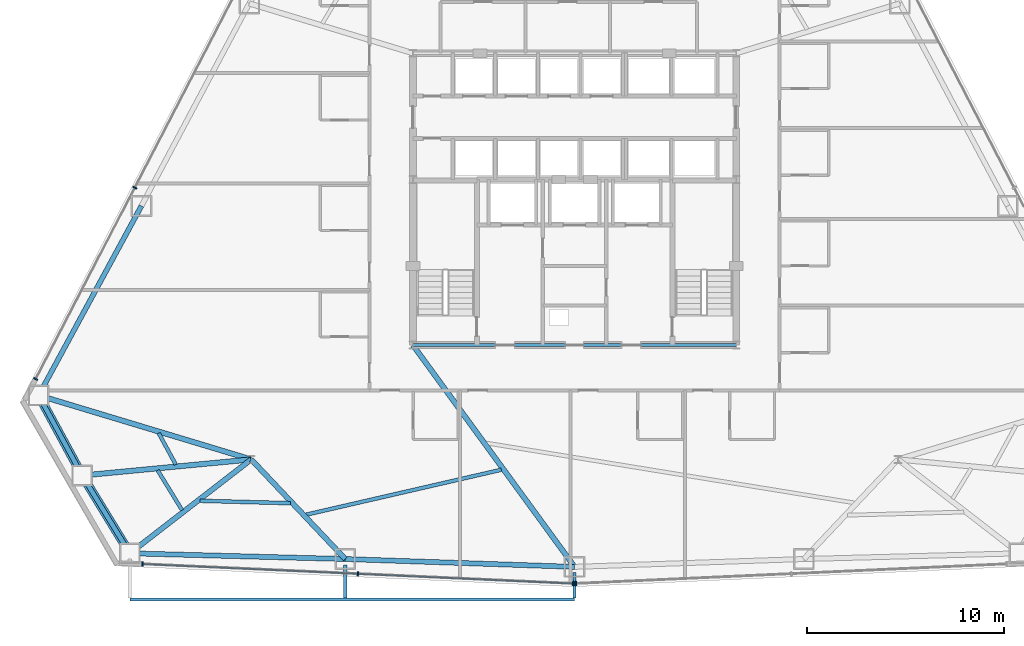
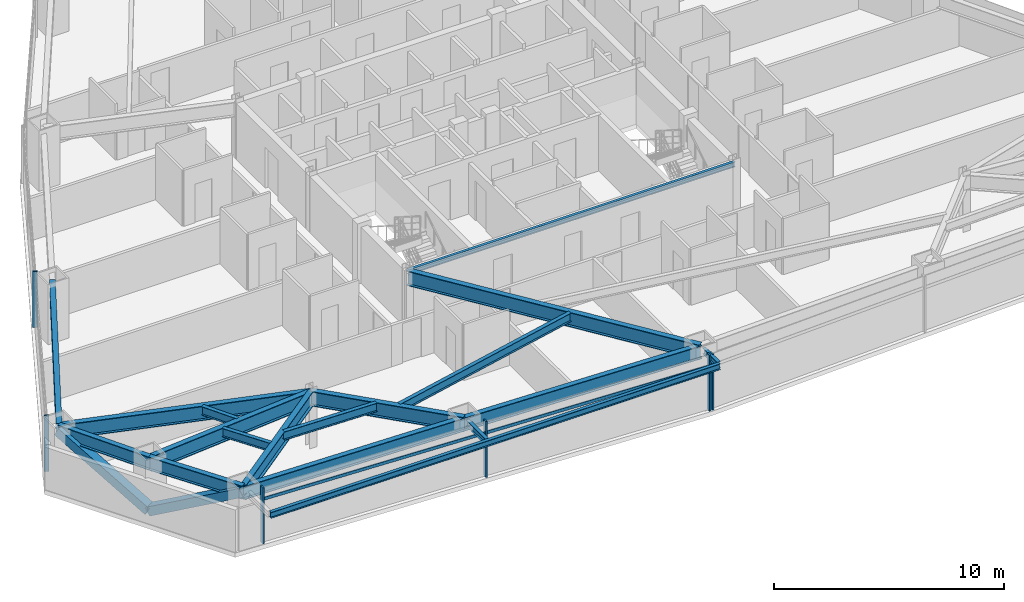
# One storey, part 4 of 13: 18 beams, 9 members, 3 elements without a shape of their own.
"""IFC4 building model written with IfcOpenShell, lengths in metres."""

from ifc_helpers import new_model, si_unit, direction, frame, origin, origin_2d, place, context, subcontext, project, spatial, rectangle, hollow_rectangle, i_section, extrude, source, transform, mapped, material, layer, layer_set, material_profile, profile_set, type_object, type_shapes, element, aggregate, save


model = new_model("IFC4")

# Units and contexts
model_context = context("Model", 3, precision=1e-05, world=origin(), true_north=direction((0.0, 1.0)))
body_context = subcontext(model_context, "Body", "Model", "MODEL_VIEW")
ifc_project = project(units=[si_unit("LENGTHUNIT", "METRE"), si_unit("AREAUNIT", "SQUARE_METRE"), si_unit("VOLUMEUNIT", "CUBIC_METRE"), si_unit("PLANEANGLEUNIT", "RADIAN"), si_unit("MASSUNIT", "GRAM", prefix="KILO")], contexts=[model_context])

# Site, building, storey
site_placement = place(None, origin())
site = spatial("IfcSite", under=ifc_project, at=site_placement, CompositionType="ELEMENT")
building_placement = place(site_placement, origin())
building = spatial("IfcBuilding", under=site, at=building_placement, Name="Varakhsha Concourse Tower", CompositionType="ELEMENT")
storey_placement = place(building_placement, frame((0.0, 0.0, 89.39990234375)))
storey = spatial("IfcBuildingStorey", under=building, at=storey_placement, Name="L25", CompositionType="ELEMENT", Elevation=89.39990234375)

# Beams
ifc_material_1 = material(Name="Structural Steel ASTM A992 Grade 50", Category="steel")
ifc_material_profile_1 = material_profile(ifc_material_1, i_section(OverallWidth=0.26611328125, OverallDepth=0.779052734375, WebThickness=0.01708984375, FlangeThickness=0.030029296875, at=origin_2d()), Name="W30X148")
ifc_profile_set_1 = profile_set([ifc_material_profile_1], Name="Structural Steel ASTM A992 Grade 50")
beam_type_1 = type_object("IfcBeamType", Name="BM-BASE-W30X148", PredefinedType="USERDEFINED", material=ifc_profile_set_1)
beam_1_placement = place(storey_placement, frame((23.60009765625, 10.60009765625, 2.58056640625), z_axis=(-0.957434410413, 0.288650913313, 0.0), x_axis=(-0.288650913313, -0.957434410413, 0.0)))
element("IfcBeam", 1, at=beam_1_placement, inside=storey, type_object=beam_type_1, Name="L25 Radial Floor Girder 07", ObjectType="GIRDER", PredefinedType="USERDEFINED", context=body_context, shape_type="SweptSolid", body=[
    extrude(i_section(OverallWidth=0.26611328125, OverallDepth=0.779052734375, WebThickness=0.01708984375, FlangeThickness=0.030029296875, at=origin_2d()), origin(), (0.0, 0.0, 1.0), 11.2568359375),
])
beam_2_placement = place(storey_placement, frame((23.60009765625, 10.60009765625, 2.58056640625), z_axis=(-0.995499423712, -0.094767596724, 0.0), x_axis=(0.094767596724, -0.995499423712, 0.0)))
element("IfcBeam", 2, at=beam_2_placement, inside=storey, type_object=beam_type_1, Name="L25 Radial Floor Girder 08", ObjectType="GIRDER", PredefinedType="USERDEFINED", context=body_context, shape_type="SweptSolid", body=[
    extrude(i_section(OverallWidth=0.26611328125, OverallDepth=0.779052734375, WebThickness=0.01708984375, FlangeThickness=0.030029296875, at=origin_2d()), origin(), (0.0, 0.0, 1.0), 8.607177734375),
])
beam_3_placement = place(storey_placement, frame((23.60009765625, 10.60009765625, 2.58056640625), z_axis=(-0.790863829476, -0.611992159449, 0.0), x_axis=(0.611992159449, -0.790863829476, 0.0)))
element("IfcBeam", 3, at=beam_3_placement, inside=storey, type_object=beam_type_1, Name="L25 Radial Floor Girder 09", ObjectType="GIRDER", PredefinedType="USERDEFINED", context=body_context, shape_type="SweptSolid", body=[
    extrude(i_section(OverallWidth=0.26611328125, OverallDepth=0.779052734375, WebThickness=0.01708984375, FlangeThickness=0.030029296875, at=origin_2d()), origin(), (0.0, 0.0, 1.0), 7.77978515625),
])
beam_4_placement = place(storey_placement, frame((23.60009765625, 10.60009765625, 2.58056640625), z_axis=(0.686667898497, -0.726971249207, 0.0), x_axis=(0.726971249207, 0.686667898497, 0.0)))
element("IfcBeam", 4, at=beam_4_placement, inside=storey, type_object=beam_type_1, Name="L25 Radial Floor Girder 10", ObjectType="GIRDER", PredefinedType="USERDEFINED", context=body_context, shape_type="SweptSolid", body=[
    extrude(i_section(OverallWidth=0.26611328125, OverallDepth=0.779052734375, WebThickness=0.01708984375, FlangeThickness=0.030029296875, at=origin_2d()), origin(), (0.0, 0.0, 1.0), 6.947998046875),
])
beam_5_placement = place(storey_placement, frame((31.800048828125, 16.39990234375, 2.58056640625), z_axis=(0.589090089307, -0.808067365187, 0.0), x_axis=(0.808067365187, 0.589090089307, 0.0)))
element("IfcBeam", 5, at=beam_5_placement, inside=storey, type_object=beam_type_1, Name="L25 Radial Floor Girder 11", ObjectType="GIRDER", PredefinedType="USERDEFINED", context=body_context, shape_type="SweptSolid", body=[
    extrude(i_section(OverallWidth=0.26611328125, OverallDepth=0.779052734375, WebThickness=0.01708984375, FlangeThickness=0.030029296875, at=origin_2d()), origin(), (0.0, 0.0, 1.0), 13.919677734375),
])
ifc_material_profile_2 = material_profile(ifc_material_1, i_section(OverallWidth=0.1669921875, OverallDepth=0.31689453125, WebThickness=0.008056640625, FlangeThickness=0.012939453125, at=origin_2d()), Name="W12X35")
ifc_profile_set_2 = profile_set([ifc_material_profile_2], Name="Structural Steel ASTM A992 Grade 50")
beam_type_2 = type_object("IfcBeamType", Name="BM-EDGE-W12X35", PredefinedType="BEAM", material=ifc_profile_set_2)
beam_6_placement = place(storey_placement, frame((17.447265625, 3.49951171875, 2.801513671875), z_axis=(1.0, 0.0, 0.0), x_axis=(0.0, 1.0, 0.0)))
element("IfcBeam", 6, at=beam_6_placement, inside=storey, type_object=beam_type_2, Name="L26 Sky-Loggia Outer Header Girder", PredefinedType="BEAM", context=body_context, shape_type="SweptSolid", body=[
    extrude(i_section(OverallWidth=0.1669921875, OverallDepth=0.31689453125, WebThickness=0.008056640625, FlangeThickness=0.012939453125, at=origin_2d()), origin(), (0.0, 0.0, 1.0), 22.552734375),
])
beam_7_placement = place(storey_placement, frame((28.37109375, 5.25390625, 2.801513671875), z_axis=(0.0, -1.0, 0.0), x_axis=(1.0, 0.0, 0.0)))
element("IfcBeam", 7, at=beam_7_placement, inside=storey, type_object=beam_type_2, Name="L26 Sky-Loggia Support Bracket 2", PredefinedType="BEAM", context=body_context, shape_type="SweptSolid", body=[
    extrude(i_section(OverallWidth=0.1669921875, OverallDepth=0.31689453125, WebThickness=0.008056640625, FlangeThickness=0.012939453125, at=origin_2d()), origin(), (0.0, 0.0, 1.0), 1.67041015625),
])
beam_8_placement = place(storey_placement, frame((40.0, 4.856689453125, 2.801513671875), z_axis=(0.0, -1.0, 0.0), x_axis=(1.0, 0.0, 0.0)))
element("IfcBeam", 8, at=beam_8_placement, inside=storey, type_object=beam_type_2, Name="L26 Sky-Loggia Support Bracket 3", PredefinedType="BEAM", context=body_context, shape_type="SweptSolid", body=[
    extrude(i_section(OverallWidth=0.1669921875, OverallDepth=0.31689453125, WebThickness=0.008056640625, FlangeThickness=0.012939453125, at=origin_2d()), origin(), (0.0, 0.0, 1.0), 1.273193359375),
])
ifc_material_profile_3 = material_profile(ifc_material_1, i_section(OverallWidth=0.19091796875, OverallDepth=0.45703125, WebThickness=0.009033203125, FlangeThickness=0.013916015625, at=origin_2d()), Name="W18X50")
ifc_profile_set_3 = profile_set([ifc_material_profile_3], Name="Structural Steel ASTM A992 Grade 50")
beam_type_3 = type_object("IfcBeamType", Name="BM-JST-W18X50", PredefinedType="JOIST", material=ifc_profile_set_3)
beam_9_placement = place(storey_placement, frame((18.910400390625, 11.93310546875, 2.74169921875), z_axis=(0.477504293562, -0.878629415414, 0.0), x_axis=(0.878629415414, 0.477504293562, 0.0)))
element("IfcBeam", 9, at=beam_9_placement, inside=storey, type_object=beam_type_3, Name="BM-TJST-L25-07", PredefinedType="JOIST", context=body_context, shape_type="SweptSolid", body=[
    extrude(i_section(OverallWidth=0.19091796875, OverallDepth=0.45703125, WebThickness=0.009033203125, FlangeThickness=0.013916015625, at=origin_2d()), origin(), (0.0, 0.0, 1.0), 1.815673828125),
])
beam_10_placement = place(storey_placement, frame((18.859130859375, 10.049560546875, 2.74169921875), z_axis=(0.522107999924, -0.852879379757, 0.0), x_axis=(0.852879379757, 0.522107999924, 0.0)))
element("IfcBeam", 10, at=beam_10_placement, inside=storey, type_object=beam_type_3, Name="BM-TJST-L25-08", PredefinedType="JOIST", context=body_context, shape_type="SweptSolid", body=[
    extrude(i_section(OverallWidth=0.19091796875, OverallDepth=0.45703125, WebThickness=0.009033203125, FlangeThickness=0.013916015625, at=origin_2d()), origin(), (0.0, 0.0, 1.0), 2.370849609375),
])
beam_11_placement = place(storey_placement, frame((21.002685546875, 8.502197265625, 2.74169921875), z_axis=(0.999648856186, -0.026498383477, 0.0), x_axis=(0.026498383477, 0.999648856186, 0.0)))
element("IfcBeam", 11, at=beam_11_placement, inside=storey, type_object=beam_type_3, Name="BM-TJST-L25-09", PredefinedType="JOIST", context=body_context, shape_type="SweptSolid", body=[
    extrude(i_section(OverallWidth=0.19091796875, OverallDepth=0.45703125, WebThickness=0.009033203125, FlangeThickness=0.013916015625, at=origin_2d()), origin(), (0.0, 0.0, 1.0), 4.58837890625),
])
beam_12_placement = place(storey_placement, frame((26.37890625, 7.796142578125, 2.74169921875), z_axis=(0.974514510129, 0.224324473804, 0.0), x_axis=(-0.224324473804, 0.974514510129, 0.0)))
element("IfcBeam", 12, at=beam_12_placement, inside=storey, type_object=beam_type_3, Name="BM-TJST-L25-10", PredefinedType="JOIST", context=body_context, shape_type="SweptSolid", body=[
    extrude(i_section(OverallWidth=0.19091796875, OverallDepth=0.45703125, WebThickness=0.009033203125, FlangeThickness=0.013916015625, at=origin_2d()), origin(), (0.0, 0.0, 1.0), 10.1650390625),
])
ifc_material_profile_4 = material_profile(ifc_material_1, i_section(OverallWidth=0.14697265625, OverallDepth=0.261962890625, WebThickness=0.007080078125, FlangeThickness=0.010986328125, at=origin_2d()), Name="W10X26")
ifc_profile_set_4 = profile_set([ifc_material_profile_4], Name="Structural Steel ASTM A992 Grade 50")
beam_type_4 = type_object("IfcBeamType", Name="BM-LNTL-W10X26", PredefinedType="LINTEL", material=ifc_profile_set_4)
beam_13_placement = place(storey_placement, frame((31.800048828125, 16.39990234375, 2.839111328125), z_axis=(1.0, 0.0, 0.0), x_axis=(0.0, 1.0, 0.0)))
element("IfcBeam", 13, at=beam_13_placement, inside=storey, type_object=beam_type_4, Name="BM-TCORE-L25-CS", PredefinedType="LINTEL", context=body_context, shape_type="SweptSolid", body=[
    extrude(i_section(OverallWidth=0.14697265625, OverallDepth=0.261962890625, WebThickness=0.007080078125, FlangeThickness=0.010986328125, at=origin_2d()), origin(), (0.0, 0.0, 1.0), 16.39990234375),
])
ifc_material_profile_5 = material_profile(ifc_material_1, i_section(OverallWidth=0.25390625, OverallDepth=0.701904296875, WebThickness=0.014892578125, FlangeThickness=0.028076171875, at=origin_2d()), Name="W27X129")
ifc_profile_set_5 = profile_set([ifc_material_profile_5], Name="Structural Steel ASTM A992 Grade 50")
beam_type_5 = type_object("IfcBeamType", Name="BM-SPAN-W27X129", PredefinedType="SPANDREL", material=ifc_profile_set_5)
beam_14_placement = place(storey_placement, frame((18.033203125, 23.45458984375, 2.619140625), z_axis=(-0.476839407103, -0.878990432163, 0.0), x_axis=(0.878990432163, -0.476839407103, 0.0)))
element("IfcBeam", 14, at=beam_14_placement, inside=storey, type_object=beam_type_5, Name="BM-SPAN-L25-06", PredefinedType="SPANDREL", context=body_context, shape_type="SweptSolid", body=[
    extrude(i_section(OverallWidth=0.25390625, OverallDepth=0.701904296875, WebThickness=0.014892578125, FlangeThickness=0.028076171875, at=origin_2d()), origin(), (0.0, 0.0, 1.0), 10.927490234375),
])
beam_15_placement = place(storey_placement, frame((12.822509765625, 13.849365234375, 2.619140625), z_axis=(0.47751686281, -0.878622584351, 0.0), x_axis=(0.878622584351, 0.47751686281, 0.0)))
element("IfcBeam", 15, at=beam_15_placement, inside=storey, type_object=beam_type_5, Name="BM-SPAN-L25-07", PredefinedType="SPANDREL", context=body_context, shape_type="SweptSolid", body=[
    extrude(i_section(OverallWidth=0.25390625, OverallDepth=0.701904296875, WebThickness=0.014892578125, FlangeThickness=0.028076171875, at=origin_2d()), origin(), (0.0, 0.0, 1.0), 4.62646484375),
])
beam_16_placement = place(storey_placement, frame((15.03173828125, 9.784423828125, 2.619140625), z_axis=(0.522135058867, -0.852862814468, 0.0), x_axis=(0.852862814468, 0.522135058867, 0.0)))
element("IfcBeam", 16, at=beam_16_placement, inside=storey, type_object=beam_type_5, Name="BM-SPAN-L25-08", PredefinedType="SPANDREL", context=body_context, shape_type="SweptSolid", body=[
    extrude(i_section(OverallWidth=0.25390625, OverallDepth=0.701904296875, WebThickness=0.014892578125, FlangeThickness=0.028076171875, at=origin_2d()), origin(), (0.0, 0.0, 1.0), 4.626220703125),
])
beam_17_placement = place(storey_placement, frame((17.447265625, 5.8388671875, 2.59912109375), z_axis=(0.999648299755, -0.026519366436, 0.0), x_axis=(0.026519366436, 0.999648299755, 0.0)))
element("IfcBeam", 17, at=beam_17_placement, inside=storey, type_object=beam_type_5, Name="BM-SPAN-L25-09", PredefinedType="SPANDREL", context=body_context, shape_type="SweptSolid", body=[
    extrude(i_section(OverallWidth=0.25390625, OverallDepth=0.701904296875, WebThickness=0.014892578125, FlangeThickness=0.028076171875, at=origin_2d()), origin(), (0.0, 0.0, 1.0), 10.927734375),
])
beam_18_placement = place(storey_placement, frame((28.37109375, 5.549072265625, 2.59912109375), z_axis=(0.999417135447, -0.034137799785, 0.0), x_axis=(0.034137799785, 0.999417135447, 0.0)))
element("IfcBeam", 18, at=beam_18_placement, inside=storey, type_object=beam_type_5, Name="BM-SPAN-L25-10", PredefinedType="SPANDREL", context=body_context, shape_type="SweptSolid", body=[
    extrude(i_section(OverallWidth=0.25390625, OverallDepth=0.701904296875, WebThickness=0.014892578125, FlangeThickness=0.028076171875, at=origin_2d()), origin(), (0.0, 0.0, 1.0), 11.6357421875),
])

# Members
ifc_material_2 = material(Name="Structural Steel ASTM A500 Grade C", Category="steel")
ifc_material_profile_6 = material_profile(ifc_material_2, hollow_rectangle(XDim=0.449951171875, YDim=0.449951171875, WallThickness=0.01904296875, at=origin_2d()), Name="HSS 450x450x19")
ifc_profile_set_6 = profile_set([ifc_material_profile_6], Name="Structural Steel ASTM A500 Grade C")
member_type_1 = type_object("IfcMemberType", Name="MB-TUBE-HSS450", PredefinedType="BRACE", material=ifc_profile_set_6)
shared_shape_1 = source(origin(), body_context, "Body", "SweptSolid", [
    extrude(hollow_rectangle(XDim=0.449951171875, YDim=0.449951171875, WallThickness=0.01904296875, at=origin_2d()), origin(), (0.0, 0.0, 1.0), 5.282470703125),
])
member_1_placement = place(storey_placement, frame((15.03173828125, 9.784423828125, 0.1201171875), z_axis=(0.457268644843, -0.746909093319, 0.482734080795), x_axis=(0.852862814468, 0.522135058867, 0.0)))
element("IfcMember", 19, at=member_1_placement, inside=storey, type_object=member_type_1, Name="L25 Wind-Corner Tube Brace B04", PredefinedType="BRACE", context=body_context, shape_type="MappedRepresentation", body=[
    mapped(shared_shape_1, transform((0.0, 0.0, 0.0), scale=1.0)),
])
shared_shape_2 = source(origin(), body_context, "Body", "SweptSolid", [
    extrude(hollow_rectangle(XDim=0.449951171875, YDim=0.449951171875, WallThickness=0.01904296875, at=origin_2d()), origin(), (0.0, 0.0, 1.0), 5.28271484375),
])
type_shapes(member_type_1, [shared_shape_1, shared_shape_2])
member_2_placement = place(storey_placement, frame((15.03173828125, 9.784423828125, 0.1201171875), z_axis=(-0.418198623406, 0.769478072684, 0.482714622774), x_axis=(-0.878622584351, -0.47751686281, 0.0)))
element("IfcMember", 20, at=member_2_placement, inside=storey, type_object=member_type_1, Name="L25 Wind-Corner Tube Brace B03", PredefinedType="BRACE", context=body_context, shape_type="MappedRepresentation", body=[
    mapped(shared_shape_2, transform((0.0, 0.0, 0.0), scale=1.0)),
])

# Curtain wall, members
ifc_material_3 = material(Name="Anodised Bronze Architectural Aluminium AA 6063-T6", Category="aluminium")
ifc_layer = layer(ifc_material_3, 0.199951171875, Name="CW-SYS-03")
ifc_layer_set = layer_set([ifc_layer], Name="Anodised Bronze Architectural Aluminium AA 6063-T6")
curtain_wall_type = type_object("IfcCurtainWallType", Name="CW-SYS-03", PredefinedType="NOTDEFINED", material=ifc_layer_set)
curtain_wall_1_placement = place(storey_placement, origin())
curtain_wall_1 = element("IfcCurtainWall", 21, at=curtain_wall_1_placement, inside=storey, type_object=curtain_wall_type, Name="L25 Crystal Curtain Wall F3", PredefinedType="NOTDEFINED")
ifc_material_profile_7 = material_profile(ifc_material_3, rectangle(XDim=0.074951171875, YDim=0.219970703125, at=origin_2d()), Name="CWM-220X75")
ifc_profile_set_7 = profile_set([ifc_material_profile_7], Name="Anodised Bronze Architectural Aluminium AA 6063-T6")
member_type_2 = type_object("IfcMemberType", Name="CWM-220X75", PredefinedType="MULLION", material=ifc_profile_set_7)
shared_shape_3 = source(origin(), body_context, "Body", "SweptSolid", [
    extrude(rectangle(XDim=0.074951171875, YDim=0.219970703125, at=origin_2d()), origin(), (0.0, 0.0, 1.0), 2.97021484375),
])
type_shapes(member_type_2, [shared_shape_3])
member_3_placement = place(storey_placement, frame((12.672119140625, 14.67626953125, 0.0), z_axis=(0.0, 0.0, 1.0), x_axis=(0.460185838956, 0.887822613828, 0.0)))
member_3 = element("IfcMember", 22, at=member_3_placement, type_object=member_type_2, Name="CW-L25-F3 Mullion 00", PredefinedType="MULLION", context=body_context, shape_type="MappedRepresentation", body=[
    mapped(shared_shape_3, transform((0.0, 0.0, 0.0), scale=1.0)),
])
member_4_placement = place(storey_placement, frame((17.702392578125, 24.380859375, 0.0), z_axis=(0.0, 0.0, 1.0), x_axis=(0.460185838956, 0.887822613828, 0.0)))
member_4 = element("IfcMember", 23, at=member_4_placement, type_object=member_type_2, Name="CW-L25-F3 Mullion 01", PredefinedType="MULLION", context=body_context, shape_type="MappedRepresentation", body=[
    mapped(shared_shape_3, transform((0.0, 0.0, 0.0), scale=1.0)),
])
aggregate(curtain_wall_1, [member_3, member_4])

curtain_wall_2_placement = place(storey_placement, origin())
curtain_wall_2 = element("IfcCurtainWall", 24, at=curtain_wall_2_placement, inside=storey, type_object=curtain_wall_type, Name="L25 Crystal Curtain Wall F5", PredefinedType="NOTDEFINED")
member_5_placement = place(storey_placement, frame((39.92724609375, 4.30322265625, 0.0), z_axis=(0.0, 0.0, 1.0), x_axis=(-0.998969777905, 0.045380423448, 0.0)))
member_5 = element("IfcMember", 25, at=member_5_placement, type_object=member_type_2, Name="CW-L25-F5 Mullion 00", PredefinedType="MULLION", context=body_context, shape_type="MappedRepresentation", body=[
    mapped(shared_shape_3, transform((0.0, 0.0, 0.0), scale=1.0)),
])
member_6_placement = place(storey_placement, frame((29.0078125, 4.79931640625, 0.0), z_axis=(0.0, 0.0, 1.0), x_axis=(-0.998969777905, 0.045380423448, 0.0)))
member_6 = element("IfcMember", 26, at=member_6_placement, type_object=member_type_2, Name="CW-L25-F5 Mullion 01", PredefinedType="MULLION", context=body_context, shape_type="MappedRepresentation", body=[
    mapped(shared_shape_3, transform((0.0, 0.0, 0.0), scale=1.0)),
])
member_7_placement = place(storey_placement, frame((18.088134765625, 5.29541015625, 0.0), z_axis=(0.0, 0.0, 1.0), x_axis=(-0.998969777905, 0.045380423448, 0.0)))
member_7 = element("IfcMember", 27, at=member_7_placement, type_object=member_type_2, Name="CW-L25-F5 Mullion 02", PredefinedType="MULLION", context=body_context, shape_type="MappedRepresentation", body=[
    mapped(shared_shape_3, transform((0.0, 0.0, 0.0), scale=1.0)),
])

# Curtain wall, member
curtain_wall_3_placement = place(storey_placement, origin())
curtain_wall_3 = element("IfcCurtainWall", 28, at=curtain_wall_3_placement, inside=storey, type_object=curtain_wall_type, Name="L25 Crystal Curtain Wall F6", PredefinedType="NOTDEFINED")
member_8_placement = place(storey_placement, frame((40.07275390625, 4.30322265625, 0.0), z_axis=(0.0, 0.0, 1.0), x_axis=(-0.998969777905, -0.045380423448, 0.0)))
member_8 = element("IfcMember", 29, at=member_8_placement, type_object=member_type_2, Name="CW-L25-F6 Mullion 02", PredefinedType="MULLION", context=body_context, shape_type="MappedRepresentation", body=[
    mapped(shared_shape_3, transform((0.0, 0.0, 0.0), scale=1.0)),
])
aggregate(curtain_wall_3, [member_8])

# Member
ifc_material_profile_8 = material_profile(ifc_material_3, rectangle(XDim=0.06494140625, YDim=0.159912109375, at=origin_2d()), Name="CWT-160X65")
ifc_profile_set_8 = profile_set([ifc_material_profile_8], Name="Anodised Bronze Architectural Aluminium AA 6063-T6")
member_type_3 = type_object("IfcMemberType", Name="CWT-160X65", PredefinedType="USERDEFINED", material=ifc_profile_set_8)
shared_shape_4 = source(origin(), body_context, "Body", "SweptSolid", [
    extrude(rectangle(XDim=0.06494140625, YDim=0.159912109375, at=origin_2d()), origin(), (0.0, 0.0, 1.0), 21.861572265625),
])
type_shapes(member_type_3, [shared_shape_4])
member_9_placement = place(storey_placement, frame((39.92724609375, 4.30322265625, 2.320068359375), z_axis=(-0.998969576113, 0.045384865318, 0.0), x_axis=(-0.045384865318, -0.998969576113, 0.0)))
member_9 = element("IfcMember", 30, at=member_9_placement, type_object=member_type_3, Name="CW-L25-F5 Transom 01", ObjectType="TRANSOM", PredefinedType="USERDEFINED", context=body_context, shape_type="MappedRepresentation", body=[
    mapped(shared_shape_4, transform((0.0, 0.0, 0.0), scale=1.0)),
])

aggregate(curtain_wall_2, [member_5, member_6, member_7, member_9])

save(model, "model.ifc")
